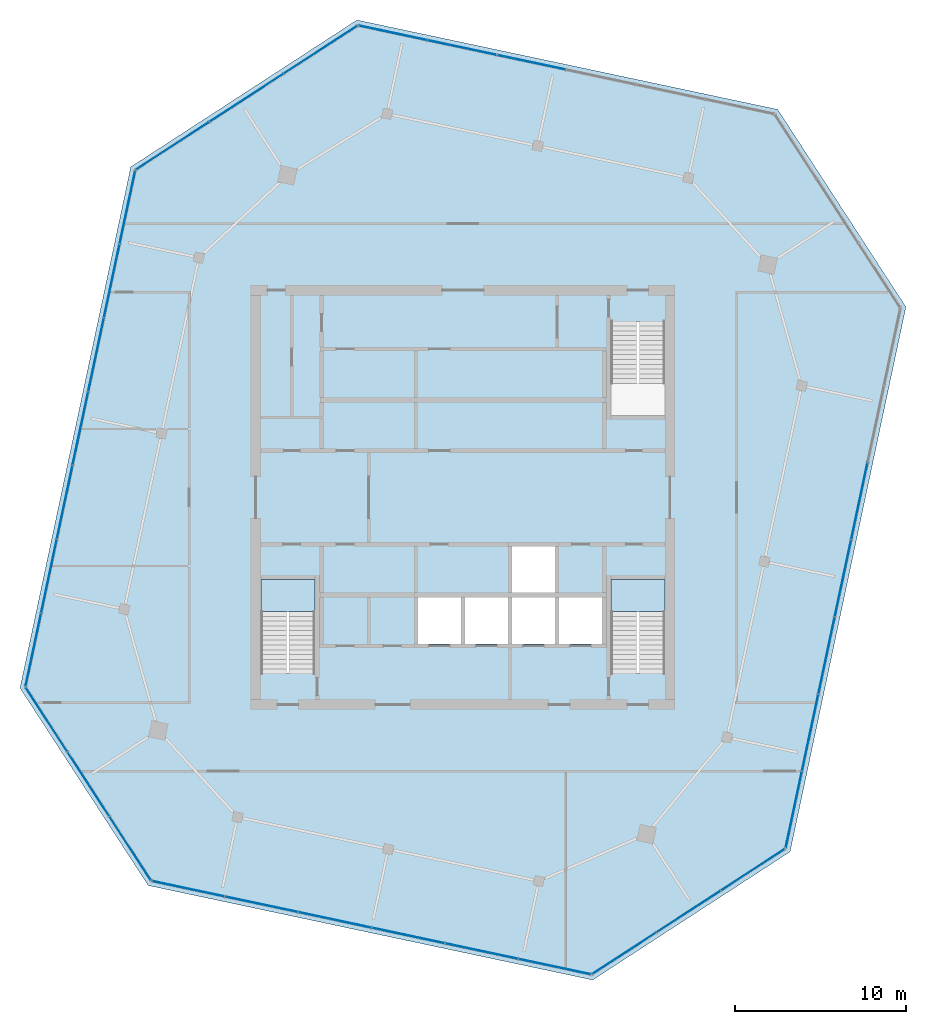
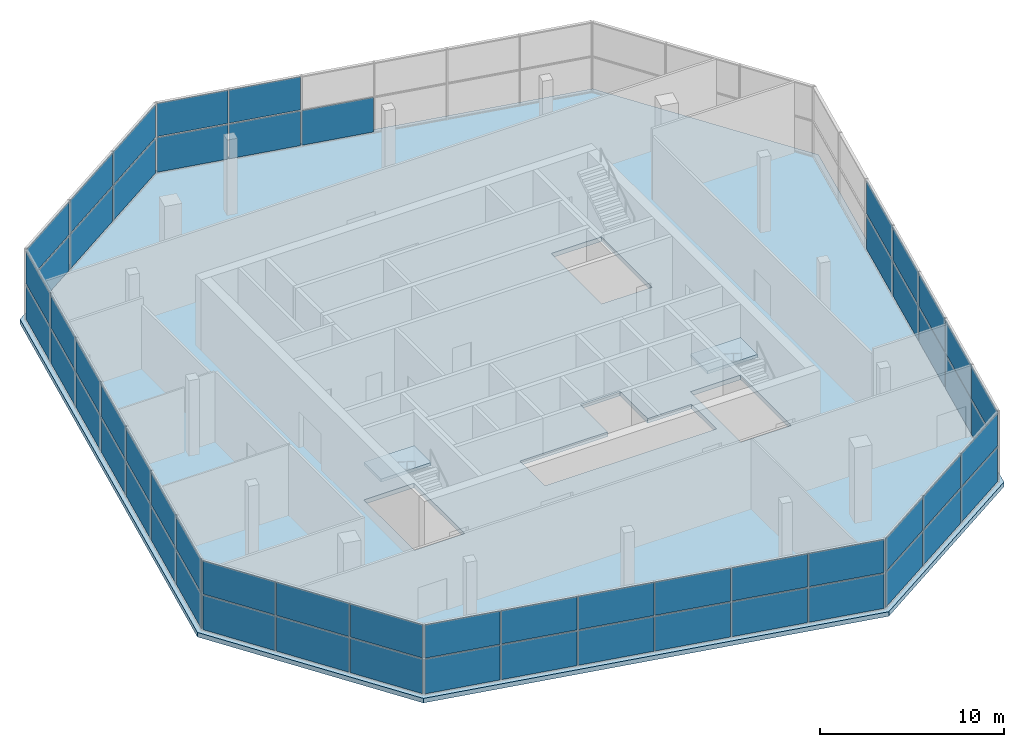
# One storey, part 7 of 11: 59 plates, 3 slabs, 9 elements without a shape of their own.
"""IFC4 building model written with IfcOpenShell, lengths in metres."""

from ifc_helpers import new_model, si_unit, direction, frame, origin, origin_2d, place, context, subcontext, project, spatial, polyline, rectangle, outline, extrude, material, layer, layer_set, type_object, element, aggregate, save


model = new_model("IFC4")

# Units and contexts
model_context = context("Model", 3, precision=1e-05, world=origin(), true_north=direction((0.0, 1.0)))
body_context = subcontext(model_context, "Body", "Model", "MODEL_VIEW")
ifc_project = project(units=[si_unit("LENGTHUNIT", "METRE"), si_unit("AREAUNIT", "SQUARE_METRE"), si_unit("VOLUMEUNIT", "CUBIC_METRE"), si_unit("PLANEANGLEUNIT", "RADIAN"), si_unit("MASSUNIT", "GRAM", prefix="KILO")], contexts=[model_context])

# Site, building, storey
site_placement = place(None, origin())
site = spatial("IfcSite", under=ifc_project, at=site_placement, CompositionType="ELEMENT")
building_placement = place(site_placement, origin())
building = spatial("IfcBuilding", under=site, at=building_placement, Name="Dilmun Exchange Tower", CompositionType="ELEMENT")
storey_placement = place(building_placement, frame((0.0, 0.0, 363.10009765625)))
storey = spatial("IfcBuildingStorey", under=building, at=storey_placement, Name="Crown L85", CompositionType="ELEMENT", Elevation=363.10009765625)

# Stair, slab
ifc_material_1 = material(Name="Concrete C40/50", Category="concrete")
stair_type = type_object("IfcStairType", Name="Exit stair 1500 half-turn", PredefinedType="HALF_TURN_STAIR", material=ifc_material_1)
stair_1_placement = place(storey_placement, origin())
stair_1 = element("IfcStair", 1, at=stair_1_placement, inside=storey, type_object=stair_type, Name="Crown L85 Protected exit stair ST2", PredefinedType="HALF_TURN_STAIR")
ifc_layer_1 = layer(ifc_material_1, 0.199951171875)
ifc_layer_set_1 = layer_set([ifc_layer_1], Name="Concrete C40/50")
slab_type_1 = type_object("IfcSlabType", Name="Exit stair landing 200", PredefinedType="LANDING", material=ifc_layer_set_1)
slab_1_placement = place(storey_placement, frame((0.0, 0.0, 2.2998046875)))
slab_1 = element("IfcSlab", 2, at=slab_1_placement, type_object=slab_type_1, Name="ST2 landing 1", PredefinedType="LANDING", context=body_context, shape_type="SweptSolid", body=[
    extrude(outline(polyline([(-8.64990234375, -6.659912109375), (-8.64990234375, -4.800048828125), (-11.800048828125, -4.800048828125), (-11.800048828125, -6.659912109375), (-8.64990234375, -6.659912109375)])), origin(), (0.0, 0.0, 1.0), 0.2001953125),
])
aggregate(stair_1, [slab_1])

stair_2_placement = place(storey_placement, origin())
stair_2 = element("IfcStair", 3, at=stair_2_placement, inside=storey, type_object=stair_type, Name="Crown L85 Protected exit stair ST3", PredefinedType="HALF_TURN_STAIR")
slab_2_placement = place(storey_placement, frame((0.0, 0.0, 2.2998046875)))
slab_2 = element("IfcSlab", 4, at=slab_2_placement, type_object=slab_type_1, Name="ST3 landing 1", PredefinedType="LANDING", context=body_context, shape_type="SweptSolid", body=[
    extrude(outline(polyline([(11.800048828125, -6.659912109375), (11.800048828125, -4.800048828125), (8.64990234375, -4.800048828125), (8.64990234375, -6.659912109375), (11.800048828125, -6.659912109375)])), origin(), (0.0, 0.0, 1.0), 0.2001953125),
])
aggregate(stair_2, [slab_2])

# Slab
ifc_layer_2 = layer(ifc_material_1, 0.300048828125)
ifc_layer_set_2 = layer_set([ifc_layer_2], Name="Concrete C40/50")
slab_type_2 = type_object("IfcSlabType", Name="RC floor slab 300", PredefinedType="FLOOR", material=ifc_layer_set_2)
slab_3_placement = place(storey_placement, frame((0.0, 0.0, -0.300048828125)))
element("IfcSlab", 5, at=slab_3_placement, inside=storey, type_object=slab_type_2, Name="Floor slab", PredefinedType="FLOOR", context=body_context, shape_type="SweptSolid", body=[
    extrude(outline(polyline([(-19.408203125, 19.315185546875), (-6.193115234375, 27.897216796875), (18.3876953125, 22.67236328125), (25.880615234375, 11.134521484375), (19.1142578125, -20.698486328125), (7.576416015625, -28.19140625), (-18.3876953125, -22.67236328125), (-25.880615234375, -11.134521484375), (-19.408203125, 19.315185546875)]), holes=[polyline([(-8.64990234375, -4.800048828125), (-11.800048828125, -4.800048828125), (-11.800048828125, -10.294921875), (-8.64990234375, -10.294921875), (-8.64990234375, -4.800048828125)]), polyline([(11.800048828125, -4.800048828125), (8.64990234375, -4.800048828125), (8.64990234375, -10.294921875), (11.800048828125, -10.294921875), (11.800048828125, -4.800048828125)]), polyline([(-2.625, -5.85009765625), (-2.625, -8.550048828125), (8.125, -8.550048828125), (8.125, -5.85009765625), (5.375, -5.85009765625), (5.375, -2.85009765625), (2.875, -2.85009765625), (2.875, -5.85009765625), (-2.625, -5.85009765625)]), polyline([(8.64990234375, 4.800048828125), (11.800048828125, 4.800048828125), (11.800048828125, 10.294921875), (8.64990234375, 10.294921875), (8.64990234375, 4.800048828125)])]), origin(), (0.0, 0.0, 1.0), 0.300048828125),
])

# Curtain wall, plates
ifc_material_2 = material(Name="Anodised aluminium and clear glass", Category="aluminium")
curtain_wall_type = type_object("IfcCurtainWallType", Name="Sky garden glazing", PredefinedType="NOTDEFINED", material=ifc_material_2)
curtain_wall_1_placement = place(storey_placement, origin())
curtain_wall_1 = element("IfcCurtainWall", 6, at=curtain_wall_1_placement, inside=storey, type_object=curtain_wall_type, Name="Sky garden glazing run SG1", PredefinedType="NOTDEFINED")
ifc_material_3 = material(Name="Clear glass", Category="glass")
ifc_layer_3 = layer(ifc_material_3, 0.031982421875)
ifc_layer_set_3 = layer_set([ifc_layer_3], Name="Clear glass")
plate_type = type_object("IfcPlateType", Name="Sky garden glazing glass panel 32", PredefinedType="CURTAIN_PANEL", material=ifc_layer_set_3)
plate_1_placement = place(storey_placement, frame((-16.043212890625, -22.864013671875, 0.06982421875), z_axis=(0.0, 0.0, 1.0), x_axis=(0.978147348009, -0.20791287979, 0.0)))
plate_1 = element("IfcPlate", 7, at=plate_1_placement, type_object=plate_type, Name="SG1 panel 1.1", PredefinedType="CURTAIN_PANEL", context=body_context, shape_type="SweptSolid", body=[
    extrude(rectangle(XDim=4.277587890625, YDim=0.031982421875, at=origin_2d()), origin(), (0.0, 0.0, 1.0), 2.294921875),
])
plate_2_placement = place(storey_placement, frame((-16.043212890625, -22.864013671875, 2.43505859375), z_axis=(0.0, 0.0, 1.0), x_axis=(0.978147348009, -0.20791287979, 0.0)))
plate_2 = element("IfcPlate", 8, at=plate_2_placement, type_object=plate_type, Name="SG1 panel 1.2", PredefinedType="CURTAIN_PANEL", context=body_context, shape_type="SweptSolid", body=[
    extrude(rectangle(XDim=4.277587890625, YDim=0.031982421875, at=origin_2d()), origin(), (0.0, 0.0, 1.0), 2.195068359375),
])
plate_3_placement = place(storey_placement, frame((-11.7734375, -23.771484375, 0.06982421875), z_axis=(0.0, 0.0, 1.0), x_axis=(0.978147348009, -0.20791287979, 0.0)))
plate_3 = element("IfcPlate", 9, at=plate_3_placement, type_object=plate_type, Name="SG1 panel 2.1", PredefinedType="CURTAIN_PANEL", context=body_context, shape_type="SweptSolid", body=[
    extrude(rectangle(XDim=4.3125, YDim=0.031982421875, at=origin_2d()), origin(), (0.0, 0.0, 1.0), 2.294921875),
])
plate_4_placement = place(storey_placement, frame((-11.7734375, -23.771484375, 2.43505859375), z_axis=(0.0, 0.0, 1.0), x_axis=(0.978147348009, -0.20791287979, 0.0)))
plate_4 = element("IfcPlate", 10, at=plate_4_placement, type_object=plate_type, Name="SG1 panel 2.2", PredefinedType="CURTAIN_PANEL", context=body_context, shape_type="SweptSolid", body=[
    extrude(rectangle(XDim=4.3125, YDim=0.031982421875, at=origin_2d()), origin(), (0.0, 0.0, 1.0), 2.195068359375),
])
plate_5_placement = place(storey_placement, frame((-7.48681640625, -24.682861328125, 0.06982421875), z_axis=(0.0, 0.0, 1.0), x_axis=(0.978147348009, -0.20791287979, 0.0)))
plate_5 = element("IfcPlate", 11, at=plate_5_placement, type_object=plate_type, Name="SG1 panel 3.1", PredefinedType="CURTAIN_PANEL", context=body_context, shape_type="SweptSolid", body=[
    extrude(rectangle(XDim=4.3125, YDim=0.031982421875, at=origin_2d()), origin(), (0.0, 0.0, 1.0), 2.294921875),
])
plate_6_placement = place(storey_placement, frame((-7.48681640625, -24.682861328125, 2.43505859375), z_axis=(0.0, 0.0, 1.0), x_axis=(0.978147348009, -0.20791287979, 0.0)))
plate_6 = element("IfcPlate", 12, at=plate_6_placement, type_object=plate_type, Name="SG1 panel 3.2", PredefinedType="CURTAIN_PANEL", context=body_context, shape_type="SweptSolid", body=[
    extrude(rectangle(XDim=4.3125, YDim=0.031982421875, at=origin_2d()), origin(), (0.0, 0.0, 1.0), 2.195068359375),
])
plate_7_placement = place(storey_placement, frame((-3.199951171875, -25.593994140625, 0.06982421875), z_axis=(0.0, 0.0, 1.0), x_axis=(0.978147348009, -0.20791287979, 0.0)))
plate_7 = element("IfcPlate", 13, at=plate_7_placement, type_object=plate_type, Name="SG1 panel 4.1", PredefinedType="CURTAIN_PANEL", context=body_context, shape_type="SweptSolid", body=[
    extrude(rectangle(XDim=4.3125, YDim=0.031982421875, at=origin_2d()), origin(), (0.0, 0.0, 1.0), 2.294921875),
])
plate_8_placement = place(storey_placement, frame((-3.199951171875, -25.593994140625, 2.43505859375), z_axis=(0.0, 0.0, 1.0), x_axis=(0.978147348009, -0.20791287979, 0.0)))
plate_8 = element("IfcPlate", 14, at=plate_8_placement, type_object=plate_type, Name="SG1 panel 4.2", PredefinedType="CURTAIN_PANEL", context=body_context, shape_type="SweptSolid", body=[
    extrude(rectangle(XDim=4.3125, YDim=0.031982421875, at=origin_2d()), origin(), (0.0, 0.0, 1.0), 2.195068359375),
])
plate_9_placement = place(storey_placement, frame((1.0869140625, -26.505126953125, 0.06982421875), z_axis=(0.0, 0.0, 1.0), x_axis=(0.978147348009, -0.20791287979, 0.0)))
plate_9 = element("IfcPlate", 15, at=plate_9_placement, type_object=plate_type, Name="SG1 panel 5.1", PredefinedType="CURTAIN_PANEL", context=body_context, shape_type="SweptSolid", body=[
    extrude(rectangle(XDim=4.3125, YDim=0.031982421875, at=origin_2d()), origin(), (0.0, 0.0, 1.0), 2.294921875),
])
plate_10_placement = place(storey_placement, frame((1.0869140625, -26.505126953125, 2.43505859375), z_axis=(0.0, 0.0, 1.0), x_axis=(0.978147348009, -0.20791287979, 0.0)))
plate_10 = element("IfcPlate", 16, at=plate_10_placement, type_object=plate_type, Name="SG1 panel 5.2", PredefinedType="CURTAIN_PANEL", context=body_context, shape_type="SweptSolid", body=[
    extrude(rectangle(XDim=4.3125, YDim=0.031982421875, at=origin_2d()), origin(), (0.0, 0.0, 1.0), 2.195068359375),
])
plate_11_placement = place(storey_placement, frame((5.356689453125, -27.412841796875, 0.06982421875), z_axis=(0.0, 0.0, 1.0), x_axis=(0.978147348009, -0.20791287979, 0.0)))
plate_11 = element("IfcPlate", 17, at=plate_11_placement, type_object=plate_type, Name="SG1 panel 6.1", PredefinedType="CURTAIN_PANEL", context=body_context, shape_type="SweptSolid", body=[
    extrude(rectangle(XDim=4.277587890625, YDim=0.031982421875, at=origin_2d()), origin(), (0.0, 0.0, 1.0), 2.294921875),
])
plate_12_placement = place(storey_placement, frame((5.356689453125, -27.412841796875, 2.43505859375), z_axis=(0.0, 0.0, 1.0), x_axis=(0.978147348009, -0.20791287979, 0.0)))
plate_12 = element("IfcPlate", 18, at=plate_12_placement, type_object=plate_type, Name="SG1 panel 6.2", PredefinedType="CURTAIN_PANEL", context=body_context, shape_type="SweptSolid", body=[
    extrude(rectangle(XDim=4.277587890625, YDim=0.031982421875, at=origin_2d()), origin(), (0.0, 0.0, 1.0), 2.195068359375),
])
aggregate(curtain_wall_1, [plate_1, plate_2, plate_3, plate_4, plate_5, plate_6, plate_7, plate_8, plate_9, plate_10, plate_11, plate_12])

curtain_wall_2_placement = place(storey_placement, origin())
curtain_wall_2 = element("IfcCurtainWall", 19, at=curtain_wall_2_placement, inside=storey, type_object=curtain_wall_type, Name="Sky garden glazing run SG2", PredefinedType="NOTDEFINED")
plate_13_placement = place(storey_placement, frame((9.420166015625, -26.63623046875, 0.06982421875), z_axis=(0.0, 0.0, 1.0), x_axis=(0.838667132077, 0.544644325751, 0.0)))
plate_13 = element("IfcPlate", 20, at=plate_13_placement, type_object=plate_type, Name="SG2 panel 1.1", PredefinedType="CURTAIN_PANEL", context=body_context, shape_type="SweptSolid", body=[
    extrude(rectangle(XDim=4.39794921875, YDim=0.031982421875, at=origin_2d()), origin(), (0.0, 0.0, 1.0), 2.294921875),
])
plate_14_placement = place(storey_placement, frame((9.420166015625, -26.63623046875, 2.43505859375), z_axis=(0.0, 0.0, 1.0), x_axis=(0.838667132077, 0.544644325751, 0.0)))
plate_14 = element("IfcPlate", 21, at=plate_14_placement, type_object=plate_type, Name="SG2 panel 1.2", PredefinedType="CURTAIN_PANEL", context=body_context, shape_type="SweptSolid", body=[
    extrude(rectangle(XDim=4.39794921875, YDim=0.031982421875, at=origin_2d()), origin(), (0.0, 0.0, 1.0), 2.195068359375),
])
plate_15_placement = place(storey_placement, frame((13.181884765625, -24.193359375, 0.06982421875), z_axis=(0.0, 0.0, 1.0), x_axis=(0.838667132077, 0.544644325751, 0.0)))
plate_15 = element("IfcPlate", 22, at=plate_15_placement, type_object=plate_type, Name="SG2 panel 2.1", PredefinedType="CURTAIN_PANEL", context=body_context, shape_type="SweptSolid", body=[
    extrude(rectangle(XDim=4.432861328125, YDim=0.031982421875, at=origin_2d()), origin(), (0.0, 0.0, 1.0), 2.294921875),
])
plate_16_placement = place(storey_placement, frame((13.181884765625, -24.193359375, 2.43505859375), z_axis=(0.0, 0.0, 1.0), x_axis=(0.838667132077, 0.544644325751, 0.0)))
plate_16 = element("IfcPlate", 23, at=plate_16_placement, type_object=plate_type, Name="SG2 panel 2.2", PredefinedType="CURTAIN_PANEL", context=body_context, shape_type="SweptSolid", body=[
    extrude(rectangle(XDim=4.432861328125, YDim=0.031982421875, at=origin_2d()), origin(), (0.0, 0.0, 1.0), 2.195068359375),
])
plate_17_placement = place(storey_placement, frame((16.943603515625, -21.750244140625, 0.06982421875), z_axis=(0.0, 0.0, 1.0), x_axis=(0.838667132077, 0.544644325751, 0.0)))
plate_17 = element("IfcPlate", 24, at=plate_17_placement, type_object=plate_type, Name="SG2 panel 3.1", PredefinedType="CURTAIN_PANEL", context=body_context, shape_type="SweptSolid", body=[
    extrude(rectangle(XDim=4.39794921875, YDim=0.031982421875, at=origin_2d()), origin(), (0.0, 0.0, 1.0), 2.294921875),
])
plate_18_placement = place(storey_placement, frame((16.943603515625, -21.750244140625, 2.43505859375), z_axis=(0.0, 0.0, 1.0), x_axis=(0.838667132077, 0.544644325751, 0.0)))
plate_18 = element("IfcPlate", 25, at=plate_18_placement, type_object=plate_type, Name="SG2 panel 3.2", PredefinedType="CURTAIN_PANEL", context=body_context, shape_type="SweptSolid", body=[
    extrude(rectangle(XDim=4.39794921875, YDim=0.031982421875, at=origin_2d()), origin(), (0.0, 0.0, 1.0), 2.195068359375),
])
aggregate(curtain_wall_2, [plate_13, plate_14, plate_15, plate_16, plate_17, plate_18])

curtain_wall_3_placement = place(storey_placement, origin())
curtain_wall_3 = element("IfcCurtainWall", 26, at=curtain_wall_3_placement, inside=storey, type_object=curtain_wall_type, Name="Sky garden glazing run SG3", PredefinedType="NOTDEFINED")
plate_19_placement = place(storey_placement, frame((19.329833984375, -18.240966796875, 0.06982421875), z_axis=(0.0, 0.0, 1.0), x_axis=(0.207913452722, 0.978147226228, 0.0)))
plate_19 = element("IfcPlate", 27, at=plate_19_placement, type_object=plate_type, Name="SG3 panel 1.1", PredefinedType="CURTAIN_PANEL", context=body_context, shape_type="SweptSolid", body=[
    extrude(rectangle(XDim=4.508544921875, YDim=0.031982421875, at=origin_2d()), origin(), (0.0, 0.0, 1.0), 2.294921875),
])
plate_20_placement = place(storey_placement, frame((19.329833984375, -18.240966796875, 2.43505859375), z_axis=(0.0, 0.0, 1.0), x_axis=(0.207913452722, 0.978147226228, 0.0)))
plate_20 = element("IfcPlate", 28, at=plate_20_placement, type_object=plate_type, Name="SG3 panel 1.2", PredefinedType="CURTAIN_PANEL", context=body_context, shape_type="SweptSolid", body=[
    extrude(rectangle(XDim=4.508544921875, YDim=0.031982421875, at=origin_2d()), origin(), (0.0, 0.0, 1.0), 2.195068359375),
])
plate_21_placement = place(storey_placement, frame((20.285400390625, -13.7451171875, 0.06982421875), z_axis=(0.0, 0.0, 1.0), x_axis=(0.207913452722, 0.978147226228, 0.0)))
plate_21 = element("IfcPlate", 29, at=plate_21_placement, type_object=plate_type, Name="SG3 panel 2.1", PredefinedType="CURTAIN_PANEL", context=body_context, shape_type="SweptSolid", body=[
    extrude(rectangle(XDim=4.543701171875, YDim=0.031982421875, at=origin_2d()), origin(), (0.0, 0.0, 1.0), 2.294921875),
])
plate_22_placement = place(storey_placement, frame((20.285400390625, -13.7451171875, 2.43505859375), z_axis=(0.0, 0.0, 1.0), x_axis=(0.207913452722, 0.978147226228, 0.0)))
plate_22 = element("IfcPlate", 30, at=plate_22_placement, type_object=plate_type, Name="SG3 panel 2.2", PredefinedType="CURTAIN_PANEL", context=body_context, shape_type="SweptSolid", body=[
    extrude(rectangle(XDim=4.543701171875, YDim=0.031982421875, at=origin_2d()), origin(), (0.0, 0.0, 1.0), 2.195068359375),
])
plate_23_placement = place(storey_placement, frame((21.24462890625, -9.232421875, 0.06982421875), z_axis=(0.0, 0.0, 1.0), x_axis=(0.207913452722, 0.978147226228, 0.0)))
plate_23 = element("IfcPlate", 31, at=plate_23_placement, type_object=plate_type, Name="SG3 panel 3.1", PredefinedType="CURTAIN_PANEL", context=body_context, shape_type="SweptSolid", body=[
    extrude(rectangle(XDim=4.543701171875, YDim=0.031982421875, at=origin_2d()), origin(), (0.0, 0.0, 1.0), 2.294921875),
])
plate_24_placement = place(storey_placement, frame((21.24462890625, -9.232421875, 2.43505859375), z_axis=(0.0, 0.0, 1.0), x_axis=(0.207913452722, 0.978147226228, 0.0)))
plate_24 = element("IfcPlate", 32, at=plate_24_placement, type_object=plate_type, Name="SG3 panel 3.2", PredefinedType="CURTAIN_PANEL", context=body_context, shape_type="SweptSolid", body=[
    extrude(rectangle(XDim=4.543701171875, YDim=0.031982421875, at=origin_2d()), origin(), (0.0, 0.0, 1.0), 2.195068359375),
])
plate_25_placement = place(storey_placement, frame((22.203857421875, -4.719482421875, 0.06982421875), z_axis=(0.0, 0.0, 1.0), x_axis=(0.207913452722, 0.978147226228, 0.0)))
plate_25 = element("IfcPlate", 33, at=plate_25_placement, type_object=plate_type, Name="SG3 panel 4.1", PredefinedType="CURTAIN_PANEL", context=body_context, shape_type="SweptSolid", body=[
    extrude(rectangle(XDim=4.543701171875, YDim=0.031982421875, at=origin_2d()), origin(), (0.0, 0.0, 1.0), 2.294921875),
])
plate_26_placement = place(storey_placement, frame((22.203857421875, -4.719482421875, 2.43505859375), z_axis=(0.0, 0.0, 1.0), x_axis=(0.207913452722, 0.978147226228, 0.0)))
plate_26 = element("IfcPlate", 34, at=plate_26_placement, type_object=plate_type, Name="SG3 panel 4.2", PredefinedType="CURTAIN_PANEL", context=body_context, shape_type="SweptSolid", body=[
    extrude(rectangle(XDim=4.543701171875, YDim=0.031982421875, at=origin_2d()), origin(), (0.0, 0.0, 1.0), 2.195068359375),
])
plate_27_placement = place(storey_placement, frame((23.1630859375, -0.206787109375, 0.06982421875), z_axis=(0.0, 0.0, 1.0), x_axis=(0.207913452722, 0.978147226228, 0.0)))
plate_27 = element("IfcPlate", 35, at=plate_27_placement, type_object=plate_type, Name="SG3 panel 5.1", PredefinedType="CURTAIN_PANEL", context=body_context, shape_type="SweptSolid", body=[
    extrude(rectangle(XDim=4.543701171875, YDim=0.031982421875, at=origin_2d()), origin(), (0.0, 0.0, 1.0), 2.294921875),
])
plate_28_placement = place(storey_placement, frame((23.1630859375, -0.206787109375, 2.43505859375), z_axis=(0.0, 0.0, 1.0), x_axis=(0.207913452722, 0.978147226228, 0.0)))
plate_28 = element("IfcPlate", 36, at=plate_28_placement, type_object=plate_type, Name="SG3 panel 5.2", PredefinedType="CURTAIN_PANEL", context=body_context, shape_type="SweptSolid", body=[
    extrude(rectangle(XDim=4.543701171875, YDim=0.031982421875, at=origin_2d()), origin(), (0.0, 0.0, 1.0), 2.195068359375),
])
aggregate(curtain_wall_3, [plate_19, plate_20, plate_21, plate_22, plate_23, plate_24, plate_25, plate_26, plate_27, plate_28])

curtain_wall_4_placement = place(storey_placement, origin())
curtain_wall_4 = element("IfcCurtainWall", 37, at=curtain_wall_4_placement, inside=storey, type_object=curtain_wall_type, Name="Sky garden glazing run SG5", PredefinedType="NOTDEFINED")
plate_29_placement = place(storey_placement, frame((4.0068359375, 25.42236328125, 0.06982421875), z_axis=(0.0, 0.0, 1.0), x_axis=(-0.978147909945, 0.207910236087, 0.0)))
plate_29 = element("IfcPlate", 38, at=plate_29_placement, type_object=plate_type, Name="SG5 panel 4.1", PredefinedType="CURTAIN_PANEL", context=body_context, shape_type="SweptSolid", body=[
    extrude(rectangle(XDim=4.076904296875, YDim=0.031982421875, at=origin_2d()), origin(), (0.0, 0.0, 1.0), 2.294921875),
])
plate_30_placement = place(storey_placement, frame((-0.049560546875, 26.28466796875, 0.06982421875), z_axis=(0.0, 0.0, 1.0), x_axis=(-0.978147909945, 0.207910236087, 0.0)))
plate_30 = element("IfcPlate", 39, at=plate_30_placement, type_object=plate_type, Name="SG5 panel 5.1", PredefinedType="CURTAIN_PANEL", context=body_context, shape_type="SweptSolid", body=[
    extrude(rectangle(XDim=4.076904296875, YDim=0.031982421875, at=origin_2d()), origin(), (0.0, 0.0, 1.0), 2.294921875),
])
plate_31_placement = place(storey_placement, frame((-0.049560546875, 26.28466796875, 2.43505859375), z_axis=(0.0, 0.0, 1.0), x_axis=(-0.978147909945, 0.207910236087, 0.0)))
plate_31 = element("IfcPlate", 40, at=plate_31_placement, type_object=plate_type, Name="SG5 panel 5.2", PredefinedType="CURTAIN_PANEL", context=body_context, shape_type="SweptSolid", body=[
    extrude(rectangle(XDim=4.076904296875, YDim=0.031982421875, at=origin_2d()), origin(), (0.0, 0.0, 1.0), 2.195068359375),
])
plate_32_placement = place(storey_placement, frame((-4.088623046875, 27.14306640625, 0.06982421875), z_axis=(0.0, 0.0, 1.0), x_axis=(-0.978147909945, 0.207910236087, 0.0)))
plate_32 = element("IfcPlate", 41, at=plate_32_placement, type_object=plate_type, Name="SG5 panel 6.1", PredefinedType="CURTAIN_PANEL", context=body_context, shape_type="SweptSolid", body=[
    extrude(rectangle(XDim=4.0419921875, YDim=0.031982421875, at=origin_2d()), origin(), (0.0, 0.0, 1.0), 2.294921875),
])
plate_33_placement = place(storey_placement, frame((-4.088623046875, 27.14306640625, 2.43505859375), z_axis=(0.0, 0.0, 1.0), x_axis=(-0.978147909945, 0.207910236087, 0.0)))
plate_33 = element("IfcPlate", 42, at=plate_33_placement, type_object=plate_type, Name="SG5 panel 6.2", PredefinedType="CURTAIN_PANEL", context=body_context, shape_type="SweptSolid", body=[
    extrude(rectangle(XDim=4.0419921875, YDim=0.031982421875, at=origin_2d()), origin(), (0.0, 0.0, 1.0), 2.195068359375),
])
aggregate(curtain_wall_4, [plate_29, plate_30, plate_31, plate_32, plate_33])

curtain_wall_5_placement = place(storey_placement, origin())
curtain_wall_5 = element("IfcCurtainWall", 43, at=curtain_wall_5_placement, inside=storey, type_object=curtain_wall_type, Name="Sky garden glazing run SG6", PredefinedType="NOTDEFINED")
plate_34_placement = place(storey_placement, frame((-8.31640625, 26.16064453125, 0.06982421875), z_axis=(0.0, 0.0, 1.0), x_axis=(-0.838671000399, -0.544638369094, 0.0)))
plate_34 = element("IfcPlate", 44, at=plate_34_placement, type_object=plate_type, Name="SG6 panel 1.1", PredefinedType="CURTAIN_PANEL", context=body_context, shape_type="SweptSolid", body=[
    extrude(rectangle(XDim=5.064697265625, YDim=0.031982421875, at=origin_2d()), origin(), (0.0, 0.0, 1.0), 2.294921875),
])
plate_35_placement = place(storey_placement, frame((-8.31640625, 26.16064453125, 2.43505859375), z_axis=(0.0, 0.0, 1.0), x_axis=(-0.838671000399, -0.544638369094, 0.0)))
plate_35 = element("IfcPlate", 45, at=plate_35_placement, type_object=plate_type, Name="SG6 panel 1.2", PredefinedType="CURTAIN_PANEL", context=body_context, shape_type="SweptSolid", body=[
    extrude(rectangle(XDim=5.064697265625, YDim=0.031982421875, at=origin_2d()), origin(), (0.0, 0.0, 1.0), 2.195068359375),
])
plate_36_placement = place(storey_placement, frame((-12.63720703125, 23.3544921875, 0.06982421875), z_axis=(0.0, 0.0, 1.0), x_axis=(-0.838671000399, -0.544638369094, 0.0)))
plate_36 = element("IfcPlate", 46, at=plate_36_placement, type_object=plate_type, Name="SG6 panel 2.1", PredefinedType="CURTAIN_PANEL", context=body_context, shape_type="SweptSolid", body=[
    extrude(rectangle(XDim=5.099609375, YDim=0.031982421875, at=origin_2d()), origin(), (0.0, 0.0, 1.0), 2.294921875),
])
plate_37_placement = place(storey_placement, frame((-12.63720703125, 23.3544921875, 2.43505859375), z_axis=(0.0, 0.0, 1.0), x_axis=(-0.838671000399, -0.544638369094, 0.0)))
plate_37 = element("IfcPlate", 47, at=plate_37_placement, type_object=plate_type, Name="SG6 panel 2.2", PredefinedType="CURTAIN_PANEL", context=body_context, shape_type="SweptSolid", body=[
    extrude(rectangle(XDim=5.099609375, YDim=0.031982421875, at=origin_2d()), origin(), (0.0, 0.0, 1.0), 2.195068359375),
])
plate_38_placement = place(storey_placement, frame((-16.958251953125, 20.548583984375, 0.06982421875), z_axis=(0.0, 0.0, 1.0), x_axis=(-0.838671000399, -0.544638369094, 0.0)))
plate_38 = element("IfcPlate", 48, at=plate_38_placement, type_object=plate_type, Name="SG6 panel 3.1", PredefinedType="CURTAIN_PANEL", context=body_context, shape_type="SweptSolid", body=[
    extrude(rectangle(XDim=5.064697265625, YDim=0.031982421875, at=origin_2d()), origin(), (0.0, 0.0, 1.0), 2.294921875),
])
plate_39_placement = place(storey_placement, frame((-16.958251953125, 20.548583984375, 2.43505859375), z_axis=(0.0, 0.0, 1.0), x_axis=(-0.838671000399, -0.544638369094, 0.0)))
plate_39 = element("IfcPlate", 49, at=plate_39_placement, type_object=plate_type, Name="SG6 panel 3.2", PredefinedType="CURTAIN_PANEL", context=body_context, shape_type="SweptSolid", body=[
    extrude(rectangle(XDim=5.064697265625, YDim=0.031982421875, at=origin_2d()), origin(), (0.0, 0.0, 1.0), 2.195068359375),
])
aggregate(curtain_wall_5, [plate_34, plate_35, plate_36, plate_37, plate_38, plate_39])

curtain_wall_6_placement = place(storey_placement, origin())
curtain_wall_6 = element("IfcCurtainWall", 50, at=curtain_wall_6_placement, inside=storey, type_object=curtain_wall_type, Name="Sky garden glazing run SG7", PredefinedType="NOTDEFINED")
plate_40_placement = place(storey_placement, frame((-19.60302734375, 16.95654296875, 0.06982421875), z_axis=(0.0, 0.0, 1.0), x_axis=(-0.207911348902, -0.97814767341, 0.0)))
plate_40 = element("IfcPlate", 51, at=plate_40_placement, type_object=plate_type, Name="SG7 panel 1.1", PredefinedType="CURTAIN_PANEL", context=body_context, shape_type="SweptSolid", body=[
    extrude(rectangle(XDim=4.306640625, YDim=0.031982421875, at=origin_2d()), origin(), (0.0, 0.0, 1.0), 2.294921875),
])
plate_41_placement = place(storey_placement, frame((-19.60302734375, 16.95654296875, 2.43505859375), z_axis=(0.0, 0.0, 1.0), x_axis=(-0.207911348902, -0.97814767341, 0.0)))
plate_41 = element("IfcPlate", 52, at=plate_41_placement, type_object=plate_type, Name="SG7 panel 1.2", PredefinedType="CURTAIN_PANEL", context=body_context, shape_type="SweptSolid", body=[
    extrude(rectangle(XDim=4.306640625, YDim=0.031982421875, at=origin_2d()), origin(), (0.0, 0.0, 1.0), 2.195068359375),
])
plate_42_placement = place(storey_placement, frame((-20.5166015625, 12.658447265625, 0.06982421875), z_axis=(0.0, 0.0, 1.0), x_axis=(-0.207911348902, -0.97814767341, 0.0)))
plate_42 = element("IfcPlate", 53, at=plate_42_placement, type_object=plate_type, Name="SG7 panel 2.1", PredefinedType="CURTAIN_PANEL", context=body_context, shape_type="SweptSolid", body=[
    extrude(rectangle(XDim=4.341552734375, YDim=0.031982421875, at=origin_2d()), origin(), (0.0, 0.0, 1.0), 2.294921875),
])
plate_43_placement = place(storey_placement, frame((-20.5166015625, 12.658447265625, 2.43505859375), z_axis=(0.0, 0.0, 1.0), x_axis=(-0.207911348902, -0.97814767341, 0.0)))
plate_43 = element("IfcPlate", 54, at=plate_43_placement, type_object=plate_type, Name="SG7 panel 2.2", PredefinedType="CURTAIN_PANEL", context=body_context, shape_type="SweptSolid", body=[
    extrude(rectangle(XDim=4.341552734375, YDim=0.031982421875, at=origin_2d()), origin(), (0.0, 0.0, 1.0), 2.195068359375),
])
plate_44_placement = place(storey_placement, frame((-21.433837890625, 8.343017578125, 0.06982421875), z_axis=(0.0, 0.0, 1.0), x_axis=(-0.207911348902, -0.97814767341, 0.0)))
plate_44 = element("IfcPlate", 55, at=plate_44_placement, type_object=plate_type, Name="SG7 panel 3.1", PredefinedType="CURTAIN_PANEL", context=body_context, shape_type="SweptSolid", body=[
    extrude(rectangle(XDim=4.341552734375, YDim=0.031982421875, at=origin_2d()), origin(), (0.0, 0.0, 1.0), 2.294921875),
])
plate_45_placement = place(storey_placement, frame((-21.433837890625, 8.343017578125, 2.43505859375), z_axis=(0.0, 0.0, 1.0), x_axis=(-0.207911348902, -0.97814767341, 0.0)))
plate_45 = element("IfcPlate", 56, at=plate_45_placement, type_object=plate_type, Name="SG7 panel 3.2", PredefinedType="CURTAIN_PANEL", context=body_context, shape_type="SweptSolid", body=[
    extrude(rectangle(XDim=4.341552734375, YDim=0.031982421875, at=origin_2d()), origin(), (0.0, 0.0, 1.0), 2.195068359375),
])
plate_46_placement = place(storey_placement, frame((-22.35107421875, 4.02783203125, 0.06982421875), z_axis=(0.0, 0.0, 1.0), x_axis=(-0.207911348902, -0.97814767341, 0.0)))
plate_46 = element("IfcPlate", 57, at=plate_46_placement, type_object=plate_type, Name="SG7 panel 4.1", PredefinedType="CURTAIN_PANEL", context=body_context, shape_type="SweptSolid", body=[
    extrude(rectangle(XDim=4.341552734375, YDim=0.031982421875, at=origin_2d()), origin(), (0.0, 0.0, 1.0), 2.294921875),
])
plate_47_placement = place(storey_placement, frame((-22.35107421875, 4.02783203125, 2.43505859375), z_axis=(0.0, 0.0, 1.0), x_axis=(-0.207911348902, -0.97814767341, 0.0)))
plate_47 = element("IfcPlate", 58, at=plate_47_placement, type_object=plate_type, Name="SG7 panel 4.2", PredefinedType="CURTAIN_PANEL", context=body_context, shape_type="SweptSolid", body=[
    extrude(rectangle(XDim=4.341552734375, YDim=0.031982421875, at=origin_2d()), origin(), (0.0, 0.0, 1.0), 2.195068359375),
])
plate_48_placement = place(storey_placement, frame((-23.268310546875, -0.287353515625, 0.06982421875), z_axis=(0.0, 0.0, 1.0), x_axis=(-0.207911348902, -0.97814767341, 0.0)))
plate_48 = element("IfcPlate", 59, at=plate_48_placement, type_object=plate_type, Name="SG7 panel 5.1", PredefinedType="CURTAIN_PANEL", context=body_context, shape_type="SweptSolid", body=[
    extrude(rectangle(XDim=4.341552734375, YDim=0.031982421875, at=origin_2d()), origin(), (0.0, 0.0, 1.0), 2.294921875),
])
plate_49_placement = place(storey_placement, frame((-23.268310546875, -0.287353515625, 2.43505859375), z_axis=(0.0, 0.0, 1.0), x_axis=(-0.207911348902, -0.97814767341, 0.0)))
plate_49 = element("IfcPlate", 60, at=plate_49_placement, type_object=plate_type, Name="SG7 panel 5.2", PredefinedType="CURTAIN_PANEL", context=body_context, shape_type="SweptSolid", body=[
    extrude(rectangle(XDim=4.341552734375, YDim=0.031982421875, at=origin_2d()), origin(), (0.0, 0.0, 1.0), 2.195068359375),
])
plate_50_placement = place(storey_placement, frame((-24.185546875, -4.6025390625, 0.06982421875), z_axis=(0.0, 0.0, 1.0), x_axis=(-0.207911348902, -0.97814767341, 0.0)))
plate_50 = element("IfcPlate", 61, at=plate_50_placement, type_object=plate_type, Name="SG7 panel 6.1", PredefinedType="CURTAIN_PANEL", context=body_context, shape_type="SweptSolid", body=[
    extrude(rectangle(XDim=4.341552734375, YDim=0.031982421875, at=origin_2d()), origin(), (0.0, 0.0, 1.0), 2.294921875),
])
plate_51_placement = place(storey_placement, frame((-24.185546875, -4.6025390625, 2.43505859375), z_axis=(0.0, 0.0, 1.0), x_axis=(-0.207911348902, -0.97814767341, 0.0)))
plate_51 = element("IfcPlate", 62, at=plate_51_placement, type_object=plate_type, Name="SG7 panel 6.2", PredefinedType="CURTAIN_PANEL", context=body_context, shape_type="SweptSolid", body=[
    extrude(rectangle(XDim=4.341552734375, YDim=0.031982421875, at=origin_2d()), origin(), (0.0, 0.0, 1.0), 2.195068359375),
])
plate_52_placement = place(storey_placement, frame((-25.09912109375, -8.900634765625, 0.06982421875), z_axis=(0.0, 0.0, 1.0), x_axis=(-0.207911348902, -0.97814767341, 0.0)))
plate_52 = element("IfcPlate", 63, at=plate_52_placement, type_object=plate_type, Name="SG7 panel 7.1", PredefinedType="CURTAIN_PANEL", context=body_context, shape_type="SweptSolid", body=[
    extrude(rectangle(XDim=4.306640625, YDim=0.031982421875, at=origin_2d()), origin(), (0.0, 0.0, 1.0), 2.294921875),
])
plate_53_placement = place(storey_placement, frame((-25.09912109375, -8.900634765625, 2.43505859375), z_axis=(0.0, 0.0, 1.0), x_axis=(-0.207911348902, -0.97814767341, 0.0)))
plate_53 = element("IfcPlate", 64, at=plate_53_placement, type_object=plate_type, Name="SG7 panel 7.2", PredefinedType="CURTAIN_PANEL", context=body_context, shape_type="SweptSolid", body=[
    extrude(rectangle(XDim=4.306640625, YDim=0.031982421875, at=origin_2d()), origin(), (0.0, 0.0, 1.0), 2.195068359375),
])
aggregate(curtain_wall_6, [plate_40, plate_41, plate_42, plate_43, plate_44, plate_45, plate_46, plate_47, plate_48, plate_49, plate_50, plate_51, plate_52, plate_53])

curtain_wall_7_placement = place(storey_placement, origin())
curtain_wall_7 = element("IfcCurtainWall", 65, at=curtain_wall_7_placement, inside=storey, type_object=curtain_wall_type, Name="Sky garden glazing run SG8", PredefinedType="NOTDEFINED")
plate_54_placement = place(storey_placement, frame((-24.325439453125, -12.978271484375, 0.06982421875), z_axis=(0.0, 0.0, 1.0), x_axis=(0.544644325751, -0.838667132077, 0.0)))
plate_54 = element("IfcPlate", 66, at=plate_54_placement, type_object=plate_type, Name="SG8 panel 1.1", PredefinedType="CURTAIN_PANEL", context=body_context, shape_type="SweptSolid", body=[
    extrude(rectangle(XDim=4.39794921875, YDim=0.031982421875, at=origin_2d()), origin(), (0.0, 0.0, 1.0), 2.294921875),
])
plate_55_placement = place(storey_placement, frame((-24.325439453125, -12.978271484375, 2.43505859375), z_axis=(0.0, 0.0, 1.0), x_axis=(0.544644325751, -0.838667132077, 0.0)))
plate_55 = element("IfcPlate", 67, at=plate_55_placement, type_object=plate_type, Name="SG8 panel 1.2", PredefinedType="CURTAIN_PANEL", context=body_context, shape_type="SweptSolid", body=[
    extrude(rectangle(XDim=4.39794921875, YDim=0.031982421875, at=origin_2d()), origin(), (0.0, 0.0, 1.0), 2.195068359375),
])
plate_56_placement = place(storey_placement, frame((-21.882568359375, -16.739990234375, 0.06982421875), z_axis=(0.0, 0.0, 1.0), x_axis=(0.544644325751, -0.838667132077, 0.0)))
plate_56 = element("IfcPlate", 68, at=plate_56_placement, type_object=plate_type, Name="SG8 panel 2.1", PredefinedType="CURTAIN_PANEL", context=body_context, shape_type="SweptSolid", body=[
    extrude(rectangle(XDim=4.432861328125, YDim=0.031982421875, at=origin_2d()), origin(), (0.0, 0.0, 1.0), 2.294921875),
])
plate_57_placement = place(storey_placement, frame((-21.882568359375, -16.739990234375, 2.43505859375), z_axis=(0.0, 0.0, 1.0), x_axis=(0.544644325751, -0.838667132077, 0.0)))
plate_57 = element("IfcPlate", 69, at=plate_57_placement, type_object=plate_type, Name="SG8 panel 2.2", PredefinedType="CURTAIN_PANEL", context=body_context, shape_type="SweptSolid", body=[
    extrude(rectangle(XDim=4.432861328125, YDim=0.031982421875, at=origin_2d()), origin(), (0.0, 0.0, 1.0), 2.195068359375),
])
plate_58_placement = place(storey_placement, frame((-19.439697265625, -20.501953125, 0.06982421875), z_axis=(0.0, 0.0, 1.0), x_axis=(0.544644325751, -0.838667132077, 0.0)))
plate_58 = element("IfcPlate", 70, at=plate_58_placement, type_object=plate_type, Name="SG8 panel 3.1", PredefinedType="CURTAIN_PANEL", context=body_context, shape_type="SweptSolid", body=[
    extrude(rectangle(XDim=4.39794921875, YDim=0.031982421875, at=origin_2d()), origin(), (0.0, 0.0, 1.0), 2.294921875),
])
plate_59_placement = place(storey_placement, frame((-19.439697265625, -20.501953125, 2.43505859375), z_axis=(0.0, 0.0, 1.0), x_axis=(0.544644325751, -0.838667132077, 0.0)))
plate_59 = element("IfcPlate", 71, at=plate_59_placement, type_object=plate_type, Name="SG8 panel 3.2", PredefinedType="CURTAIN_PANEL", context=body_context, shape_type="SweptSolid", body=[
    extrude(rectangle(XDim=4.39794921875, YDim=0.031982421875, at=origin_2d()), origin(), (0.0, 0.0, 1.0), 2.195068359375),
])
aggregate(curtain_wall_7, [plate_54, plate_55, plate_56, plate_57, plate_58, plate_59])

save(model, "model.ifc")
